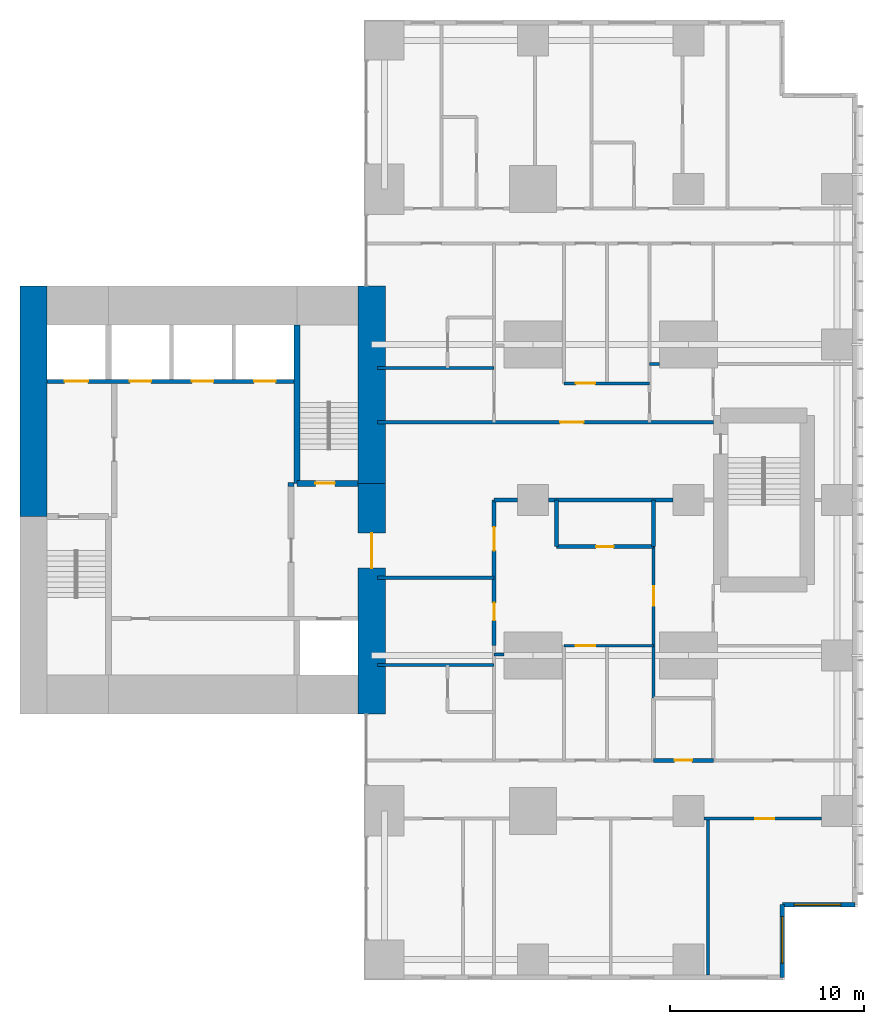
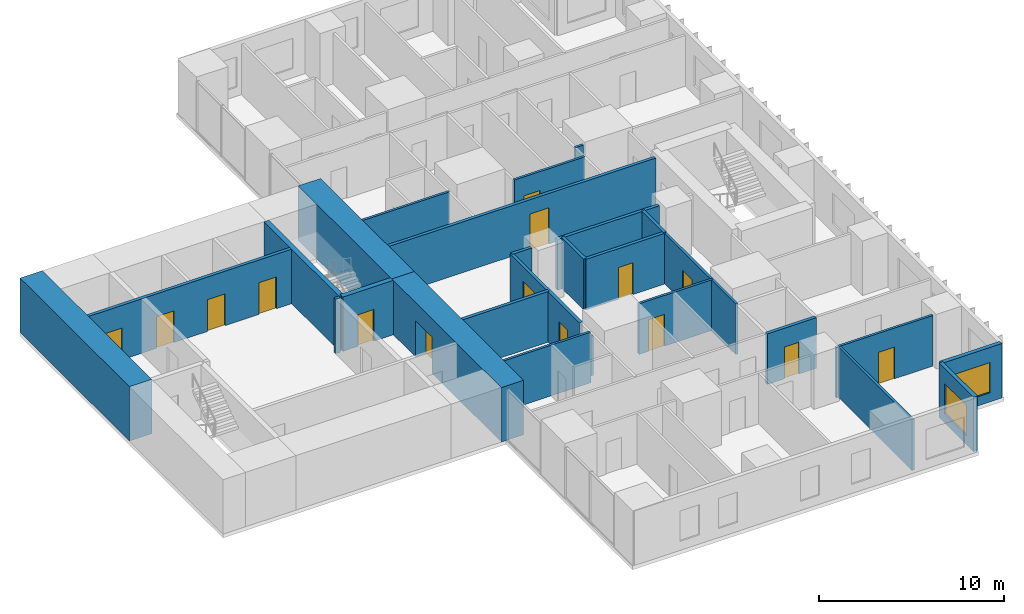
# One storey, part 8 of 12: 27 walls, 15 doors, 2 windows, 17 openings.
"""IFC4 building model written with IfcOpenShell, lengths in metres."""

from ifc_helpers import new_model, si_unit, direction, frame, frame_2d, origin, place, context, subcontext, project, spatial, rectangle, extrude, material, layer, layer_set, type_object, element, fill, save


model = new_model("IFC4")

# Units and contexts
model_context = context("Model", 3, precision=1e-05, world=origin(), true_north=direction((0.0, 1.0)))
body_context = subcontext(model_context, "Body", "Model", "MODEL_VIEW")
ifc_project = project(units=[si_unit("LENGTHUNIT", "METRE"), si_unit("AREAUNIT", "SQUARE_METRE"), si_unit("VOLUMEUNIT", "CUBIC_METRE"), si_unit("PLANEANGLEUNIT", "RADIAN"), si_unit("MASSUNIT", "GRAM", prefix="KILO")], contexts=[model_context])

# Site, building, storey
site_placement = place(None, origin())
site = spatial("IfcSite", under=ifc_project, at=site_placement, CompositionType="ELEMENT")
building_placement = place(site_placement, origin())
building = spatial("IfcBuilding", under=site, at=building_placement, Name="Cleftline Residences", CompositionType="ELEMENT")
storey_placement = place(building_placement, frame((0.0, 0.0, 266.39990234375)))
storey = spatial("IfcBuildingStorey", under=building, at=storey_placement, Name="L70", CompositionType="ELEMENT", Elevation=266.39990234375)

# Wall
ifc_material_1 = material(Name="Concrete B70", Category="concrete")
ifc_layer_1 = layer(ifc_material_1, 1.39990234375)
ifc_layer_set_1 = layer_set([ifc_layer_1], Name="CORE WALL 1400")
wall_type_1 = type_object("IfcWallType", Name="CORE WALL 1400", PredefinedType="SHEAR", material=ifc_layer_set_1)
wall_1_placement = place(storey_placement, frame((24.300048828125, 23.14990234375, 0.0), z_axis=(0.0, 0.0, 1.0), x_axis=(0.0, 1.0, 0.0)))
element("IfcWall", 1, at=wall_1_placement, inside=storey, type_object=wall_type_1, Name="Core wall W", PredefinedType="SHEAR", context=body_context, shape_type="SweptSolid", body=[
    extrude(rectangle(XDim=11.85009765625, YDim=1.39990234375, at=frame_2d((5.925048828125, 0.0))), origin(), (0.0, 0.0, 1.0), 3.60009765625),
])

# Wall, opening, door
wall_2_placement = place(storey_placement, frame((41.699951171875, 13.0, 0.0), z_axis=(0.0, 0.0, 1.0), x_axis=(0.0, 1.0, 0.0)))
wall_2 = element("IfcWall", 2, at=wall_2_placement, inside=storey, type_object=wall_type_1, Name="Core wall E", PredefinedType="SHEAR", context=body_context, shape_type="SweptSolid", body=[
    extrude(rectangle(XDim=11.85009765625, YDim=1.39990234375, at=frame_2d((5.925048828125, 0.0))), origin(), (0.0, 0.0, 1.0), 3.60009765625),
])
opening_1_placement = place(wall_2_placement, frame((7.5, 0.0, 0.0)))
opening_1 = element("IfcOpeningElement", 3, at=opening_1_placement, cuts=wall_2, Name="Opening D7", PredefinedType="OPENING", context=body_context, shape_type="SweptSolid", body=[
    extrude(rectangle(XDim=1.800048828125, YDim=2.39990234375, at=frame_2d((0.89990234375, 1.199951171875))), frame((0.0, 0.7099609375, 0.0), z_axis=(0.0, -1.0, 0.0), x_axis=(1.0, 0.0, 0.0)), (0.0, 0.0, 1.0), 1.419921875),
])
ifc_material_2 = material(Name="Steel", Category="steel")
door_type_1 = type_object("IfcDoorType", Name="WING DOOR 1800X2400", OperationType="DOUBLE_DOOR_DOUBLE_SWING", PredefinedType="DOOR", material=ifc_material_2)
door_1_placement = place(opening_1_placement, origin())
door_1 = element("IfcDoor", 4, at=door_1_placement, inside=storey, type_object=door_type_1, Name="East wing door", OperationType="DOUBLE_DOOR_DOUBLE_SWING", OverallHeight=2.39990234375, OverallWidth=1.800048828125, PredefinedType="DOOR", context=body_context, shape_type="SweptSolid", body=[
    extrude(rectangle(XDim=1.800048828125, YDim=2.39990234375, at=frame_2d((0.89990234375, 1.199951171875))), frame((0.0, 0.02490234375, 0.0), z_axis=(0.0, -1.0, 0.0), x_axis=(1.0, 0.0, 0.0)), (0.0, 0.0, 1.0), 0.050048828125),
])
fill(opening_1, door_1)

# Walls
wall_3_placement = place(storey_placement, frame((41.699951171875, 24.85009765625, 0.0), z_axis=(0.0, 0.0, 1.0), x_axis=(0.0, 1.0, 0.0)))
element("IfcWall", 5, at=wall_3_placement, inside=storey, type_object=wall_type_1, Name="Core wall E1", PredefinedType="SHEAR", context=body_context, shape_type="SweptSolid", body=[
    extrude(rectangle(XDim=10.14990234375, YDim=1.39990234375, at=frame_2d((5.074951171875, 0.0))), origin(), (0.0, 0.0, 1.0), 3.60009765625),
])
ifc_material_3 = material(Name="Concrete B70", Category="concrete")
ifc_layer_2 = layer(ifc_material_3, 0.300048828125)
ifc_layer_set_2 = layer_set([ifc_layer_2], Name="CORE WALL 300")
wall_type_2 = type_object("IfcWallType", Name="CORE WALL 300", PredefinedType="SHEAR", material=ifc_layer_set_2)
wall_4_placement = place(storey_placement, frame((37.85009765625, 24.85009765625, 0.0), z_axis=(0.0, 0.0, 1.0), x_axis=(0.0, 1.0, 0.0)))
element("IfcWall", 6, at=wall_4_placement, inside=storey, type_object=wall_type_2, Name="Core wall SB-W", PredefinedType="SHEAR", context=body_context, shape_type="SweptSolid", body=[
    extrude(rectangle(XDim=8.14990234375, YDim=0.300048828125, at=frame_2d((4.074951171875, 0.0))), origin(), (0.0, 0.0, 1.0), 3.60009765625),
])

# Wall, opening, door
wall_5_placement = place(storey_placement, frame((37.85009765625, 24.85009765625, 0.0), z_axis=(0.0, 0.0, 1.0), x_axis=(1.0, 0.0, 0.0)))
wall_5 = element("IfcWall", 7, at=wall_5_placement, inside=storey, type_object=wall_type_2, Name="Core wall SB-S", PredefinedType="SHEAR", context=body_context, shape_type="SweptSolid", body=[
    extrude(rectangle(XDim=3.14990234375, YDim=0.300048828125, at=frame_2d((1.574951171875, 0.0))), origin(), (0.0, 0.0, 1.0), 3.60009765625),
])
opening_2_placement = place(wall_5_placement, frame((0.949951171875, 0.0, 0.0)))
opening_2 = element("IfcOpeningElement", 8, at=opening_2_placement, cuts=wall_5, Name="Opening D5", PredefinedType="OPENING", context=body_context, shape_type="SweptSolid", body=[
    extrude(rectangle(XDim=1.0, YDim=2.10009765625, at=frame_2d((0.5, 1.050048828125))), frame((0.0, 0.159912109375, 0.0), z_axis=(0.0, -1.0, 0.0), x_axis=(1.0, 0.0, 0.0)), (0.0, 0.0, 1.0), 0.320068359375),
])
ifc_material_4 = material(Name="Steel", Category="steel")
door_type_2 = type_object("IfcDoorType", Name="STAIR DOOR 1000X2100", OperationType="SINGLE_SWING_LEFT", PredefinedType="DOOR", material=ifc_material_4)
door_2_placement = place(opening_2_placement, origin())
door_2 = element("IfcDoor", 9, at=door_2_placement, inside=storey, type_object=door_type_2, Name="Stair B door", OperationType="SINGLE_SWING_RIGHT", OverallHeight=2.10009765625, OverallWidth=1.0, PredefinedType="DOOR", context=body_context, shape_type="SweptSolid", body=[
    extrude(rectangle(XDim=1.0, YDim=2.10009765625, at=frame_2d((0.5, 1.050048828125))), frame((0.0, 0.02490234375, 0.0), z_axis=(0.0, -1.0, 0.0), x_axis=(1.0, 0.0, 0.0)), (0.0, 0.0, 1.0), 0.050048828125),
])
fill(opening_2, door_2)

# Wall, opening, window
ifc_material_5 = material(Name="Rendered reinforced concrete blockwork", Category="masonry")
ifc_layer_3 = layer(ifc_material_5, 0.25)
ifc_layer_set_3 = layer_set([ifc_layer_3], Name="EXTERNAL WALL 250")
wall_type_3 = type_object("IfcWallType", Name="EXTERNAL WALL 250", PredefinedType="SOLIDWALL", material=ifc_layer_set_3)
wall_6_placement = place(storey_placement, frame((62.824951171875, -0.574951171875, 0.0), z_axis=(0.0, 0.0, 1.0), x_axis=(0.0, 1.0, 0.0)))
wall_6 = element("IfcWall", 10, at=wall_6_placement, inside=storey, type_object=wall_type_3, Name="External wall", PredefinedType="SOLIDWALL", context=body_context, shape_type="SweptSolid", body=[
    extrude(rectangle(XDim=3.75, YDim=0.25, at=frame_2d((1.875, 0.0))), origin(), (0.0, 0.0, 1.0), 3.60009765625),
])
opening_3_placement = place(wall_6_placement, frame((0.737548828125, 0.0, 0.60009765625)))
opening_3 = element("IfcOpeningElement", 11, at=opening_3_placement, cuts=wall_6, Name="Opening W6", PredefinedType="OPENING", context=body_context, shape_type="SweptSolid", body=[
    extrude(rectangle(XDim=2.39990234375, YDim=2.0, at=frame_2d((1.199951171875, 1.0))), frame((0.0, 0.135009765625, 0.0), z_axis=(0.0, -1.0, 0.0), x_axis=(1.0, 0.0, 0.0)), (0.0, 0.0, 1.0), 0.27001953125),
])
ifc_material_6 = material(Name="Aluminium frame, clear double glazing", Category="aluminium")
window_type = type_object("IfcWindowType", Name="WINDOW 2400X2000", PartitioningType="DOUBLE_PANEL_VERTICAL", PredefinedType="WINDOW", material=ifc_material_6)
window_1_placement = place(opening_3_placement, origin())
window_1 = element("IfcWindow", 12, at=window_1_placement, inside=storey, type_object=window_type, Name="Window", OverallHeight=2.0, OverallWidth=2.39990234375, PartitioningType="SINGLE_PANEL", PredefinedType="WINDOW", context=body_context, shape_type="SweptSolid", body=[
    extrude(rectangle(XDim=2.39990234375, YDim=2.0, at=frame_2d((1.199951171875, 1.0))), frame((0.0, 0.030029296875, 0.0), z_axis=(0.0, -1.0, 0.0), x_axis=(1.0, 0.0, 0.0)), (0.0, 0.0, 1.0), 0.06005859375),
])
fill(opening_3, window_1)

wall_7_placement = place(storey_placement, frame((62.824951171875, 3.175048828125, 0.0), z_axis=(0.0, 0.0, 1.0), x_axis=(1.0, 0.0, 0.0)))
wall_7 = element("IfcWall", 13, at=wall_7_placement, inside=storey, type_object=wall_type_3, Name="External wall", PredefinedType="SOLIDWALL", context=body_context, shape_type="SweptSolid", body=[
    extrude(rectangle(XDim=3.75, YDim=0.25, at=frame_2d((1.875, 0.0))), origin(), (0.0, 0.0, 1.0), 3.60009765625),
])
opening_4_placement = place(wall_7_placement, frame((0.612548828125, 0.0, 0.60009765625)))
opening_4 = element("IfcOpeningElement", 14, at=opening_4_placement, cuts=wall_7, Name="Opening W6", PredefinedType="OPENING", context=body_context, shape_type="SweptSolid", body=[
    extrude(rectangle(XDim=2.39990234375, YDim=2.0, at=frame_2d((1.199951171875, 1.0))), frame((0.0, 0.135009765625, 0.0), z_axis=(0.0, -1.0, 0.0), x_axis=(1.0, 0.0, 0.0)), (0.0, 0.0, 1.0), 0.27001953125),
])
window_2_placement = place(opening_4_placement, origin())
window_2 = element("IfcWindow", 15, at=window_2_placement, inside=storey, type_object=window_type, Name="Window", OverallHeight=2.0, OverallWidth=2.39990234375, PartitioningType="SINGLE_PANEL", PredefinedType="WINDOW", context=body_context, shape_type="SweptSolid", body=[
    extrude(rectangle(XDim=2.39990234375, YDim=2.0, at=frame_2d((1.199951171875, 1.0))), frame((0.0, 0.030029296875, 0.0), z_axis=(0.0, -1.0, 0.0), x_axis=(1.0, 0.0, 0.0)), (0.0, 0.0, 1.0), 0.06005859375),
])
fill(opening_4, window_2)

# Wall, opening, door
ifc_material_7 = material(Name="Concrete blockwork, fire rated", Category="masonry")
ifc_layer_4 = layer(ifc_material_7, 0.199951171875)
ifc_layer_set_4 = layer_set([ifc_layer_4], Name="FIRE WALL 200")
wall_type_4 = type_object("IfcWallType", Name="FIRE WALL 200", PredefinedType="PARTITIONING", material=ifc_layer_set_4)
wall_8_placement = place(storey_placement, frame((56.199951171875, 10.60009765625, 0.0), z_axis=(0.0, 0.0, 1.0), x_axis=(1.0, 0.0, 0.0)))
wall_8 = element("IfcWall", 16, at=wall_8_placement, inside=storey, type_object=wall_type_4, Name="Fire separating wall", PredefinedType="PARTITIONING", context=body_context, shape_type="SweptSolid", body=[
    extrude(rectangle(XDim=3.074951171875, YDim=0.199951171875, at=frame_2d((1.53759765625, 0.0))), origin(), (0.0, 0.0, 1.0), 3.35009765625),
])
opening_5_placement = place(wall_8_placement, frame((1.08740234375, 0.0, 0.0)))
opening_5 = element("IfcOpeningElement", 17, at=opening_5_placement, cuts=wall_8, Name="Opening D1F30", PredefinedType="OPENING", context=body_context, shape_type="SweptSolid", body=[
    extrude(rectangle(XDim=0.89990234375, YDim=2.10009765625, at=frame_2d((0.449951171875, 1.050048828125))), frame((0.0, 0.10986328125, 0.0), z_axis=(0.0, -1.0, 0.0), x_axis=(1.0, 0.0, 0.0)), (0.0, 0.0, 1.0), 0.219970703125),
])
ifc_material_8 = material(Name="Timber veneer on solid core", Category="wood")
door_type_3 = type_object("IfcDoorType", Name="DOOR 900X2100 EI 30", OperationType="SINGLE_SWING_LEFT", PredefinedType="DOOR", material=ifc_material_8)
door_3_placement = place(opening_5_placement, origin())
door_3 = element("IfcDoor", 18, at=door_3_placement, inside=storey, type_object=door_type_3, Name="Door to guest wc", OperationType="SINGLE_SWING_LEFT", OverallHeight=2.10009765625, OverallWidth=0.89990234375, PredefinedType="DOOR", context=body_context, shape_type="SweptSolid", body=[
    extrude(rectangle(XDim=0.89990234375, YDim=2.10009765625, at=frame_2d((0.449951171875, 1.050048828125))), frame((0.0, 0.02490234375, 0.0), z_axis=(0.0, -1.0, 0.0), x_axis=(1.0, 0.0, 0.0)), (0.0, 0.0, 1.0), 0.050048828125),
])
fill(opening_5, door_3)

# Wall
wall_9_placement = place(storey_placement, frame((42.0, 20.0, 0.0), z_axis=(0.0, 0.0, 1.0), x_axis=(1.0, 0.0, 0.0)))
element("IfcWall", 19, at=wall_9_placement, inside=storey, type_object=wall_type_4, Name="Fire separating wall", PredefinedType="PARTITIONING", context=body_context, shape_type="SweptSolid", body=[
    extrude(rectangle(XDim=6.0, YDim=0.199951171875, at=frame_2d((3.0, 0.0))), origin(), (0.0, 0.0, 1.0), 3.35009765625),
])

# Wall, opening, door
wall_10_placement = place(storey_placement, frame((51.199951171875, 21.60009765625, 0.0), z_axis=(0.0, 0.0, 1.0), x_axis=(1.0, 0.0, 0.0)))
wall_10 = element("IfcWall", 20, at=wall_10_placement, inside=storey, type_object=wall_type_4, Name="Fire separating wall", PredefinedType="PARTITIONING", context=body_context, shape_type="SweptSolid", body=[
    extrude(rectangle(XDim=5.0, YDim=0.199951171875, at=frame_2d((2.5, 0.0))), origin(), (0.0, 0.0, 1.0), 3.35009765625),
])
opening_6_placement = place(wall_10_placement, frame((2.050048828125, 0.0, 0.0)))
opening_6 = element("IfcOpeningElement", 21, at=opening_6_placement, cuts=wall_10, Name="Opening D1F30", PredefinedType="OPENING", context=body_context, shape_type="SweptSolid", body=[
    extrude(rectangle(XDim=0.89990234375, YDim=2.10009765625, at=frame_2d((0.449951171875, 1.050048828125))), frame((0.0, 0.10986328125, 0.0), z_axis=(0.0, -1.0, 0.0), x_axis=(1.0, 0.0, 0.0)), (0.0, 0.0, 1.0), 0.219970703125),
])
door_4_placement = place(opening_6_placement, origin())
door_4 = element("IfcDoor", 22, at=door_4_placement, inside=storey, type_object=door_type_3, Name="Door to cloakroom wc", OperationType="SINGLE_SWING_LEFT", OverallHeight=2.10009765625, OverallWidth=0.89990234375, PredefinedType="DOOR", context=body_context, shape_type="SweptSolid", body=[
    extrude(rectangle(XDim=0.89990234375, YDim=2.10009765625, at=frame_2d((0.449951171875, 1.050048828125))), frame((0.0, 0.02490234375, 0.0), z_axis=(0.0, -1.0, 0.0), x_axis=(1.0, 0.0, 0.0)), (0.0, 0.0, 1.0), 0.050048828125),
])
fill(opening_6, door_4)

# Walls
wall_11_placement = place(storey_placement, frame((48.0, 24.0, 0.0), z_axis=(0.0, 0.0, 1.0), x_axis=(1.0, 0.0, 0.0)))
element("IfcWall", 23, at=wall_11_placement, inside=storey, type_object=wall_type_4, Name="Fire separating wall", PredefinedType="PARTITIONING", context=body_context, shape_type="SweptSolid", body=[
    extrude(rectangle(XDim=1.199951171875, YDim=0.199951171875, at=frame_2d((0.60009765625, 0.0))), origin(), (0.0, 0.0, 1.0), 3.35009765625),
])
wall_12_placement = place(storey_placement, frame((50.800048828125, 24.0, 0.0), z_axis=(0.0, 0.0, 1.0), x_axis=(1.0, 0.0, 0.0)))
element("IfcWall", 24, at=wall_12_placement, inside=storey, type_object=wall_type_4, Name="Fire separating wall", PredefinedType="PARTITIONING", context=body_context, shape_type="SweptSolid", body=[
    extrude(rectangle(XDim=6.39990234375, YDim=0.199951171875, at=frame_2d((3.199951171875, 0.0))), origin(), (0.0, 0.0, 1.0), 3.35009765625),
])

# Wall, opening, door
wall_13_placement = place(storey_placement, frame((42.0, 28.0, 0.0), z_axis=(0.0, 0.0, 1.0), x_axis=(1.0, 0.0, 0.0)))
wall_13 = element("IfcWall", 25, at=wall_13_placement, inside=storey, type_object=wall_type_4, Name="Fire separating wall", PredefinedType="PARTITIONING", context=body_context, shape_type="SweptSolid", body=[
    extrude(rectangle(XDim=17.27490234375, YDim=0.199951171875, at=frame_2d((8.637451171875, 0.0))), origin(), (0.0, 0.0, 1.0), 3.35009765625),
])
opening_7_placement = place(wall_13_placement, frame((9.39990234375, 0.0, 0.0)))
opening_7 = element("IfcOpeningElement", 26, at=opening_7_placement, cuts=wall_13, Name="Opening D4", PredefinedType="OPENING", context=body_context, shape_type="SweptSolid", body=[
    extrude(rectangle(XDim=1.199951171875, YDim=2.39990234375, at=frame_2d((0.60009765625, 1.199951171875))), frame((0.0, 0.10986328125, 0.0), z_axis=(0.0, -1.0, 0.0), x_axis=(1.0, 0.0, 0.0)), (0.0, 0.0, 1.0), 0.219970703125),
])
ifc_material_9 = material(Name="Timber veneer on solid core", Category="wood")
door_type_4 = type_object("IfcDoorType", Name="APARTMENT ENTRANCE DOOR 1200X2400", OperationType="SINGLE_SWING_RIGHT", PredefinedType="DOOR", material=ifc_material_9)
door_5_placement = place(opening_7_placement, origin())
door_5 = element("IfcDoor", 27, at=door_5_placement, inside=storey, type_object=door_type_4, Name="Door to residence entrance (gallery)", OperationType="SINGLE_SWING_LEFT", OverallHeight=2.39990234375, OverallWidth=1.199951171875, PredefinedType="DOOR", context=body_context, shape_type="SweptSolid", body=[
    extrude(rectangle(XDim=1.199951171875, YDim=2.39990234375, at=frame_2d((0.60009765625, 1.199951171875))), frame((0.0, 0.02490234375, 0.0), z_axis=(0.0, -1.0, 0.0), x_axis=(1.0, 0.0, 0.0)), (0.0, 0.0, 1.0), 0.050048828125),
])
fill(opening_7, door_5)

# Wall, openings, doors
wall_14_placement = place(storey_placement, frame((48.0, 16.5, 0.0), z_axis=(0.0, 0.0, 1.0), x_axis=(0.0, 1.0, 0.0)))
wall_14 = element("IfcWall", 28, at=wall_14_placement, inside=storey, type_object=wall_type_4, Name="Fire separating wall", PredefinedType="PARTITIONING", context=body_context, shape_type="SweptSolid", body=[
    extrude(rectangle(XDim=7.5, YDim=0.199951171875, at=frame_2d((3.75, 0.0))), origin(), (0.0, 0.0, 1.0), 3.35009765625),
])
opening_8_placement = place(wall_14_placement, frame((4.89990234375, 0.0, 0.0)))
opening_8 = element("IfcOpeningElement", 29, at=opening_8_placement, cuts=wall_14, Name="Opening D4", PredefinedType="OPENING", context=body_context, shape_type="SweptSolid", body=[
    extrude(rectangle(XDim=1.199951171875, YDim=2.39990234375, at=frame_2d((0.60009765625, 1.199951171875))), frame((0.0, 0.10986328125, 0.0), z_axis=(0.0, -1.0, 0.0), x_axis=(1.0, 0.0, 0.0)), (0.0, 0.0, 1.0), 0.219970703125),
])
opening_9_placement = place(wall_14_placement, frame((1.300048828125, 0.0, 0.0)))
opening_9 = element("IfcOpeningElement", 30, at=opening_9_placement, cuts=wall_14, Name="Opening D1F30", PredefinedType="OPENING", context=body_context, shape_type="SweptSolid", body=[
    extrude(rectangle(XDim=0.89990234375, YDim=2.10009765625, at=frame_2d((0.449951171875, 1.050048828125))), frame((0.0, 0.10986328125, 0.0), z_axis=(0.0, -1.0, 0.0), x_axis=(1.0, 0.0, 0.0)), (0.0, 0.0, 1.0), 0.219970703125),
])
door_6_placement = place(opening_8_placement, origin())
door_6 = element("IfcDoor", 31, at=door_6_placement, inside=storey, type_object=door_type_4, Name="Door to residence entrance foyer", OperationType="SINGLE_SWING_LEFT", OverallHeight=2.39990234375, OverallWidth=1.199951171875, PredefinedType="DOOR", context=body_context, shape_type="SweptSolid", body=[
    extrude(rectangle(XDim=1.199951171875, YDim=2.39990234375, at=frame_2d((0.60009765625, 1.199951171875))), frame((0.0, 0.02490234375, 0.0), z_axis=(0.0, -1.0, 0.0), x_axis=(1.0, 0.0, 0.0)), (0.0, 0.0, 1.0), 0.050048828125),
])
fill(opening_8, door_6)
door_7_placement = place(opening_9_placement, origin())
door_7 = element("IfcDoor", 32, at=door_7_placement, inside=storey, type_object=door_type_3, Name="Door to laundry", OperationType="SINGLE_SWING_RIGHT", OverallHeight=2.10009765625, OverallWidth=0.89990234375, PredefinedType="DOOR", context=body_context, shape_type="SweptSolid", body=[
    extrude(rectangle(XDim=0.89990234375, YDim=2.10009765625, at=frame_2d((0.449951171875, 1.050048828125))), frame((0.0, 0.02490234375, 0.0), z_axis=(0.0, -1.0, 0.0), x_axis=(1.0, 0.0, 0.0)), (0.0, 0.0, 1.0), 0.050048828125),
])
fill(opening_9, door_7)

# Walls
for number, where, z_axis, x_axis, name in (
    (33, (51.199951171875, 21.60009765625, 0.0), (0.0, 0.0, 1.0), (0.0, 1.0, 0.0), "Fire separating wall"),
    (34, (56.199951171875, 21.60009765625, 0.0), (0.0, 0.0, 1.0), (0.0, 1.0, 0.0), "Fire separating wall"),
):
    element("IfcWall", number, at=place(storey_placement, frame(where, z_axis=z_axis, x_axis=x_axis)), inside=storey, type_object=wall_type_4, Name=name, PredefinedType="PARTITIONING", context=body_context, shape_type="SweptSolid", body=[
        extrude(rectangle(XDim=2.39990234375, YDim=0.199951171875, at=frame_2d((1.199951171875, 0.0))), origin(), (0.0, 0.0, 1.0), 3.35009765625),
    ])
wall_15_placement = place(storey_placement, frame((37.39990234375, 24.800048828125, 0.0), z_axis=(0.0, 0.0, 1.0), x_axis=(1.0, 0.0, 0.0)))
element("IfcWall", 35, at=wall_15_placement, inside=storey, type_object=wall_type_4, Name="Fire separating wall", PredefinedType="PARTITIONING", context=body_context, shape_type="SweptSolid", body=[
    extrude(rectangle(XDim=0.300048828125, YDim=0.199951171875, at=frame_2d((0.14990234375, 0.0))), origin(), (0.0, 0.0, 1.0), 3.60009765625),
])

# Wall, opening, door
ifc_material_10 = material(Name="Gypsum board on steel studs", Category="steel")
ifc_layer_5 = layer(ifc_material_10, 0.14990234375)
ifc_layer_set_5 = layer_set([ifc_layer_5], Name="PARTITION 150")
wall_type_5 = type_object("IfcWallType", Name="PARTITION 150", PredefinedType="PARTITIONING", material=ifc_layer_set_5)
wall_16_placement = place(storey_placement, frame((58.800048828125, 7.60009765625, 0.0), z_axis=(0.0, 0.0, 1.0), x_axis=(1.0, 0.0, 0.0)))
wall_16 = element("IfcWall", 36, at=wall_16_placement, inside=storey, type_object=wall_type_5, Name="Partition", PredefinedType="PARTITIONING", context=body_context, shape_type="SweptSolid", body=[
    extrude(rectangle(XDim=6.050048828125, YDim=0.14990234375, at=frame_2d((3.02490234375, 0.0))), origin(), (0.0, 0.0, 1.0), 3.35009765625),
])
opening_10_placement = place(wall_16_placement, frame((2.625, 0.0, 0.0)))
opening_10 = element("IfcOpeningElement", 37, at=opening_10_placement, cuts=wall_16, Name="Opening D2", PredefinedType="OPENING", context=body_context, shape_type="SweptSolid", body=[
    extrude(rectangle(XDim=1.0, YDim=2.10009765625, at=frame_2d((0.5, 1.050048828125))), frame((0.0, 0.0849609375, 0.0), z_axis=(0.0, -1.0, 0.0), x_axis=(1.0, 0.0, 0.0)), (0.0, 0.0, 1.0), 0.169921875),
])
ifc_material_11 = material(Name="Timber veneer on solid core", Category="wood")
door_type_5 = type_object("IfcDoorType", Name="DOOR 1000X2100", OperationType="SINGLE_SWING_LEFT", PredefinedType="DOOR", material=ifc_material_11)
door_8_placement = place(opening_10_placement, origin())
door_8 = element("IfcDoor", 38, at=door_8_placement, inside=storey, type_object=door_type_5, Name="Door to winter garden", OperationType="SINGLE_SWING_LEFT", OverallHeight=2.10009765625, OverallWidth=1.0, PredefinedType="DOOR", context=body_context, shape_type="SweptSolid", body=[
    extrude(rectangle(XDim=1.0, YDim=2.10009765625, at=frame_2d((0.5, 1.050048828125))), frame((0.0, 0.02490234375, 0.0), z_axis=(0.0, -1.0, 0.0), x_axis=(1.0, 0.0, 0.0)), (0.0, 0.0, 1.0), 0.050048828125),
])
fill(opening_10, door_8)

# Walls
wall_17_placement = place(storey_placement, frame((42.0, 15.5, 0.0), z_axis=(0.0, 0.0, 1.0), x_axis=(1.0, 0.0, 0.0)))
element("IfcWall", 39, at=wall_17_placement, inside=storey, type_object=wall_type_5, Name="Partition", PredefinedType="PARTITIONING", context=body_context, shape_type="SweptSolid", body=[
    extrude(rectangle(XDim=6.0, YDim=0.14990234375, at=frame_2d((3.0, 0.0))), origin(), (0.0, 0.0, 1.0), 3.35009765625),
])
wall_18_placement = place(storey_placement, frame((48.0, 16.050048828125, 0.0), z_axis=(0.0, 0.0, 1.0), x_axis=(1.0, 0.0, 0.0)))
element("IfcWall", 40, at=wall_18_placement, inside=storey, type_object=wall_type_5, Name="Partition", PredefinedType="PARTITIONING", context=body_context, shape_type="SweptSolid", body=[
    extrude(rectangle(XDim=0.5, YDim=0.14990234375, at=frame_2d((0.25, 0.0))), origin(), (0.0, 0.0, 1.0), 2.634033203125),
])

# Wall, opening, door
wall_19_placement = place(storey_placement, frame((51.60009765625, 16.5, 0.0), z_axis=(0.0, 0.0, 1.0), x_axis=(1.0, 0.0, 0.0)))
wall_19 = element("IfcWall", 41, at=wall_19_placement, inside=storey, type_object=wall_type_5, Name="Partition", PredefinedType="PARTITIONING", context=body_context, shape_type="SweptSolid", body=[
    extrude(rectangle(XDim=4.599853515625, YDim=0.14990234375, at=frame_2d((2.2998046875, 0.0))), origin(), (0.0, 0.0, 1.0), 3.35009765625),
])
opening_11_placement = place(wall_19_placement, frame((0.60009765625, 0.0, 0.0)))
opening_11 = element("IfcOpeningElement", 42, at=opening_11_placement, cuts=wall_19, Name="Opening D2", PredefinedType="OPENING", context=body_context, shape_type="SweptSolid", body=[
    extrude(rectangle(XDim=1.0, YDim=2.10009765625, at=frame_2d((0.5, 1.050048828125))), frame((0.0, 0.0849609375, 0.0), z_axis=(0.0, -1.0, 0.0), x_axis=(1.0, 0.0, 0.0)), (0.0, 0.0, 1.0), 0.169921875),
])
door_9_placement = place(opening_11_placement, origin())
door_9 = element("IfcDoor", 43, at=door_9_placement, inside=storey, type_object=door_type_5, Name="Door to residence passage", OperationType="SINGLE_SWING_RIGHT", OverallHeight=2.10009765625, OverallWidth=1.0, PredefinedType="DOOR", context=body_context, shape_type="SweptSolid", body=[
    extrude(rectangle(XDim=1.0, YDim=2.10009765625, at=frame_2d((0.5, 1.050048828125))), frame((0.0, 0.02490234375, 0.0), z_axis=(0.0, -1.0, 0.0), x_axis=(1.0, 0.0, 0.0)), (0.0, 0.0, 1.0), 0.050048828125),
])
fill(opening_11, door_9)

wall_20_placement = place(storey_placement, frame((51.60009765625, 30.0, 0.0), z_axis=(0.0, 0.0, 1.0), x_axis=(1.0, 0.0, 0.0)))
wall_20 = element("IfcWall", 44, at=wall_20_placement, inside=storey, type_object=wall_type_5, Name="Partition", PredefinedType="PARTITIONING", context=body_context, shape_type="SweptSolid", body=[
    extrude(rectangle(XDim=4.39990234375, YDim=0.14990234375, at=frame_2d((2.199951171875, 0.0))), origin(), (0.0, 0.0, 1.0), 3.35009765625),
])
opening_12_placement = place(wall_20_placement, frame((0.60009765625, 0.0, 0.0)))
opening_12 = element("IfcOpeningElement", 45, at=opening_12_placement, cuts=wall_20, Name="Opening D2", PredefinedType="OPENING", context=body_context, shape_type="SweptSolid", body=[
    extrude(rectangle(XDim=1.0, YDim=2.10009765625, at=frame_2d((0.5, 1.050048828125))), frame((0.0, 0.0849609375, 0.0), z_axis=(0.0, -1.0, 0.0), x_axis=(1.0, 0.0, 0.0)), (0.0, 0.0, 1.0), 0.169921875),
])
door_10_placement = place(opening_12_placement, origin())
door_10 = element("IfcDoor", 46, at=door_10_placement, inside=storey, type_object=door_type_5, Name="Door to residence passage", OperationType="SINGLE_SWING_RIGHT", OverallHeight=2.10009765625, OverallWidth=1.0, PredefinedType="DOOR", context=body_context, shape_type="SweptSolid", body=[
    extrude(rectangle(XDim=1.0, YDim=2.10009765625, at=frame_2d((0.5, 1.050048828125))), frame((0.0, 0.02490234375, 0.0), z_axis=(0.0, -1.0, 0.0), x_axis=(1.0, 0.0, 0.0)), (0.0, 0.0, 1.0), 0.050048828125),
])
fill(opening_12, door_10)

# Walls
wall_21_placement = place(storey_placement, frame((42.0, 30.800048828125, 0.0), z_axis=(0.0, 0.0, 1.0), x_axis=(1.0, 0.0, 0.0)))
element("IfcWall", 47, at=wall_21_placement, inside=storey, type_object=wall_type_5, Name="Partition", PredefinedType="PARTITIONING", context=body_context, shape_type="SweptSolid", body=[
    extrude(rectangle(XDim=6.0, YDim=0.14990234375, at=frame_2d((3.0, 0.0))), origin(), (0.0, 0.0, 1.0), 3.35009765625),
])
wall_22_placement = place(storey_placement, frame((56.0, 31.0, 0.0), z_axis=(0.0, 0.0, 1.0), x_axis=(1.0, 0.0, 0.0)))
element("IfcWall", 48, at=wall_22_placement, inside=storey, type_object=wall_type_5, Name="Partition", PredefinedType="PARTITIONING", context=body_context, shape_type="SweptSolid", body=[
    extrude(rectangle(XDim=0.5, YDim=0.14990234375, at=frame_2d((0.25, 0.0))), origin(), (0.0, 0.0, 1.0), 3.35009765625),
])

# Wall, opening, door
wall_23_placement = place(storey_placement, frame((56.199951171875, 13.800048828125, 0.0), z_axis=(0.0, 0.0, 1.0), x_axis=(0.0, 1.0, 0.0)))
wall_23 = element("IfcWall", 49, at=wall_23_placement, inside=storey, type_object=wall_type_5, Name="Partition", PredefinedType="PARTITIONING", context=body_context, shape_type="SweptSolid", body=[
    extrude(rectangle(XDim=7.800048828125, YDim=0.14990234375, at=frame_2d((3.89990234375, 0.0))), origin(), (0.0, 0.0, 1.0), 3.35009765625),
])
opening_13_placement = place(wall_23_placement, frame((4.75, 0.0, 0.0)))
opening_13 = element("IfcOpeningElement", 50, at=opening_13_placement, cuts=wall_23, Name="Opening D2F30", PredefinedType="OPENING", context=body_context, shape_type="SweptSolid", body=[
    extrude(rectangle(XDim=1.0, YDim=2.10009765625, at=frame_2d((0.5, 1.050048828125))), frame((0.0, 0.0849609375, 0.0), z_axis=(0.0, -1.0, 0.0), x_axis=(1.0, 0.0, 0.0)), (0.0, 0.0, 1.0), 0.169921875),
])
ifc_material_12 = material(Name="Timber veneer on solid core", Category="wood")
door_type_6 = type_object("IfcDoorType", Name="DOOR 1000X2100 EI 30", OperationType="SINGLE_SWING_LEFT", PredefinedType="DOOR", material=ifc_material_12)
door_11_placement = place(opening_13_placement, origin())
door_11 = element("IfcDoor", 51, at=door_11_placement, inside=storey, type_object=door_type_6, Name="Door to residence lobby", OperationType="SINGLE_SWING_LEFT", OverallHeight=2.10009765625, OverallWidth=1.0, PredefinedType="DOOR", context=body_context, shape_type="SweptSolid", body=[
    extrude(rectangle(XDim=1.0, YDim=2.10009765625, at=frame_2d((0.5, 1.050048828125))), frame((0.0, 0.02490234375, 0.0), z_axis=(0.0, -1.0, 0.0), x_axis=(1.0, 0.0, 0.0)), (0.0, 0.0, 1.0), 0.050048828125),
])
fill(opening_13, door_11)

# Wall
wall_24_placement = place(storey_placement, frame((59.0, -0.449951171875, 0.0), z_axis=(0.0, 0.0, 1.0), x_axis=(0.0, 1.0, 0.0)))
element("IfcWall", 52, at=wall_24_placement, inside=storey, type_object=wall_type_5, Name="Partition", PredefinedType="PARTITIONING", context=body_context, shape_type="SweptSolid", body=[
    extrude(rectangle(XDim=8.050048828125, YDim=0.14990234375, at=frame_2d((4.02490234375, 0.0))), origin(), (0.0, 0.0, 1.0), 3.35009765625),
])

# Wall, openings, doors
ifc_material_13 = material(Name="Concrete blockwork, fire rated", Category="masonry")
ifc_layer_6 = layer(ifc_material_13, 0.199951171875)
ifc_layer_set_6 = layer_set([ifc_layer_6], Name="SHAFT WALL 200")
wall_type_6 = type_object("IfcWallType", Name="SHAFT WALL 200", PredefinedType="PARTITIONING", material=ifc_layer_set_6)
wall_25_placement = place(storey_placement, frame((25.0, 30.10009765625, 0.0), z_axis=(0.0, 0.0, 1.0), x_axis=(1.0, 0.0, 0.0)))
wall_25 = element("IfcWall", 53, at=wall_25_placement, inside=storey, type_object=wall_type_6, Name="Lift shaft wall", PredefinedType="PARTITIONING", context=body_context, shape_type="SweptSolid", body=[
    extrude(rectangle(XDim=12.699951171875, YDim=0.199951171875, at=frame_2d((6.35009765625, 0.0))), origin(), (0.0, 0.0, 1.0), 3.60009765625),
])
opening_14_placement = place(wall_25_placement, frame((4.25, 0.0, 0.0)))
opening_14 = element("IfcOpeningElement", 54, at=opening_14_placement, cuts=wall_25, Name="Opening LD1", PredefinedType="OPENING", context=body_context, shape_type="SweptSolid", body=[
    extrude(rectangle(XDim=1.10009765625, YDim=2.10009765625, at=frame_2d((0.550048828125, 1.050048828125))), frame((0.0, 0.10986328125, 0.0), z_axis=(0.0, -1.0, 0.0), x_axis=(1.0, 0.0, 0.0)), (0.0, 0.0, 1.0), 0.219970703125),
])
opening_15_placement = place(wall_25_placement, frame((7.449951171875, 0.0, 0.0)))
opening_15 = element("IfcOpeningElement", 55, at=opening_15_placement, cuts=wall_25, Name="Opening LD1", PredefinedType="OPENING", context=body_context, shape_type="SweptSolid", body=[
    extrude(rectangle(XDim=1.10009765625, YDim=2.10009765625, at=frame_2d((0.550048828125, 1.050048828125))), frame((0.0, 0.10986328125, 0.0), z_axis=(0.0, -1.0, 0.0), x_axis=(1.0, 0.0, 0.0)), (0.0, 0.0, 1.0), 0.219970703125),
])
opening_16_placement = place(wall_25_placement, frame((10.64990234375, 0.0, 0.0)))
opening_16 = element("IfcOpeningElement", 56, at=opening_16_placement, cuts=wall_25, Name="Opening LD1", PredefinedType="OPENING", context=body_context, shape_type="SweptSolid", body=[
    extrude(rectangle(XDim=1.10009765625, YDim=2.10009765625, at=frame_2d((0.550048828125, 1.050048828125))), frame((0.0, 0.10986328125, 0.0), z_axis=(0.0, -1.0, 0.0), x_axis=(1.0, 0.0, 0.0)), (0.0, 0.0, 1.0), 0.219970703125),
])
opening_17_placement = place(wall_25_placement, frame((0.89990234375, 0.0, 0.0)))
opening_17 = element("IfcOpeningElement", 57, at=opening_17_placement, cuts=wall_25, Name="Opening LD2", PredefinedType="OPENING", context=body_context, shape_type="SweptSolid", body=[
    extrude(rectangle(XDim=1.199951171875, YDim=2.10009765625, at=frame_2d((0.60009765625, 1.050048828125))), frame((0.0, 0.10986328125, 0.0), z_axis=(0.0, -1.0, 0.0), x_axis=(1.0, 0.0, 0.0)), (0.0, 0.0, 1.0), 0.219970703125),
])
ifc_material_14 = material(Name="Steel", Category="steel")
door_type_7 = type_object("IfcDoorType", Name="FIREFIGHTING LIFT LANDING DOOR 1200X2100", OperationType="SLIDING_TO_LEFT", PredefinedType="DOOR", material=ifc_material_14)
door_12_placement = place(opening_17_placement, origin())
door_12 = element("IfcDoor", 58, at=door_12_placement, inside=storey, type_object=door_type_7, Name="Lift FL1 landing door", OperationType="SLIDING_TO_LEFT", OverallHeight=2.10009765625, OverallWidth=1.199951171875, PredefinedType="DOOR", context=body_context, shape_type="SweptSolid", body=[
    extrude(rectangle(XDim=1.199951171875, YDim=2.10009765625, at=frame_2d((0.60009765625, 1.050048828125))), frame((0.0, 0.02490234375, 0.0), z_axis=(0.0, -1.0, 0.0), x_axis=(1.0, 0.0, 0.0)), (0.0, 0.0, 1.0), 0.050048828125),
])
fill(opening_17, door_12)
ifc_material_15 = material(Name="Steel", Category="steel")
door_type_8 = type_object("IfcDoorType", Name="LIFT LANDING DOOR 1100X2100", OperationType="SLIDING_TO_LEFT", PredefinedType="DOOR", material=ifc_material_15)
door_13_placement = place(opening_14_placement, origin())
door_13 = element("IfcDoor", 59, at=door_13_placement, inside=storey, type_object=door_type_8, Name="Lift P4 landing door", OperationType="SLIDING_TO_LEFT", OverallHeight=2.10009765625, OverallWidth=1.10009765625, PredefinedType="DOOR", context=body_context, shape_type="SweptSolid", body=[
    extrude(rectangle(XDim=1.10009765625, YDim=2.10009765625, at=frame_2d((0.550048828125, 1.050048828125))), frame((0.0, 0.02490234375, 0.0), z_axis=(0.0, -1.0, 0.0), x_axis=(1.0, 0.0, 0.0)), (0.0, 0.0, 1.0), 0.050048828125),
])
fill(opening_14, door_13)
door_14_placement = place(opening_15_placement, origin())
door_14 = element("IfcDoor", 60, at=door_14_placement, inside=storey, type_object=door_type_8, Name="Lift P5 landing door", OperationType="SLIDING_TO_LEFT", OverallHeight=2.10009765625, OverallWidth=1.10009765625, PredefinedType="DOOR", context=body_context, shape_type="SweptSolid", body=[
    extrude(rectangle(XDim=1.10009765625, YDim=2.10009765625, at=frame_2d((0.550048828125, 1.050048828125))), frame((0.0, 0.02490234375, 0.0), z_axis=(0.0, -1.0, 0.0), x_axis=(1.0, 0.0, 0.0)), (0.0, 0.0, 1.0), 0.050048828125),
])
fill(opening_15, door_14)
door_15_placement = place(opening_16_placement, origin())
door_15 = element("IfcDoor", 61, at=door_15_placement, inside=storey, type_object=door_type_8, Name="Lift P6 landing door", OperationType="SLIDING_TO_LEFT", OverallHeight=2.10009765625, OverallWidth=1.10009765625, PredefinedType="DOOR", context=body_context, shape_type="SweptSolid", body=[
    extrude(rectangle(XDim=1.10009765625, YDim=2.10009765625, at=frame_2d((0.550048828125, 1.050048828125))), frame((0.0, 0.02490234375, 0.0), z_axis=(0.0, -1.0, 0.0), x_axis=(1.0, 0.0, 0.0)), (0.0, 0.0, 1.0), 0.050048828125),
])
fill(opening_16, door_15)

save(model, "model.ifc")
